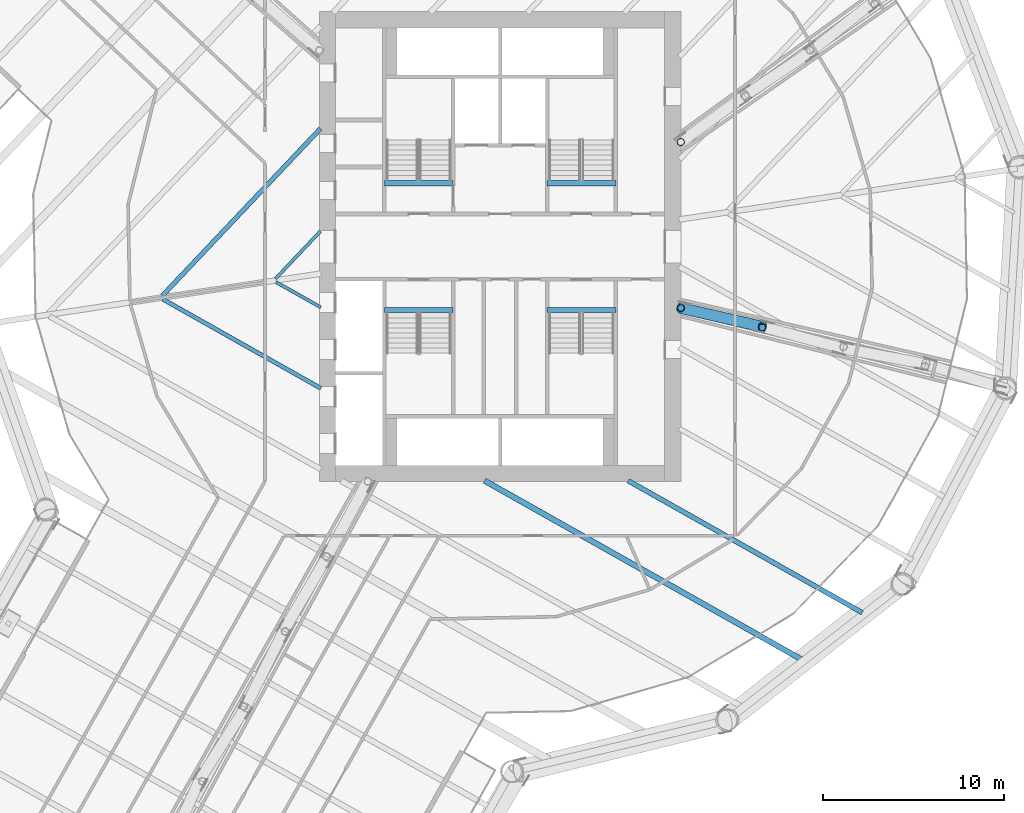
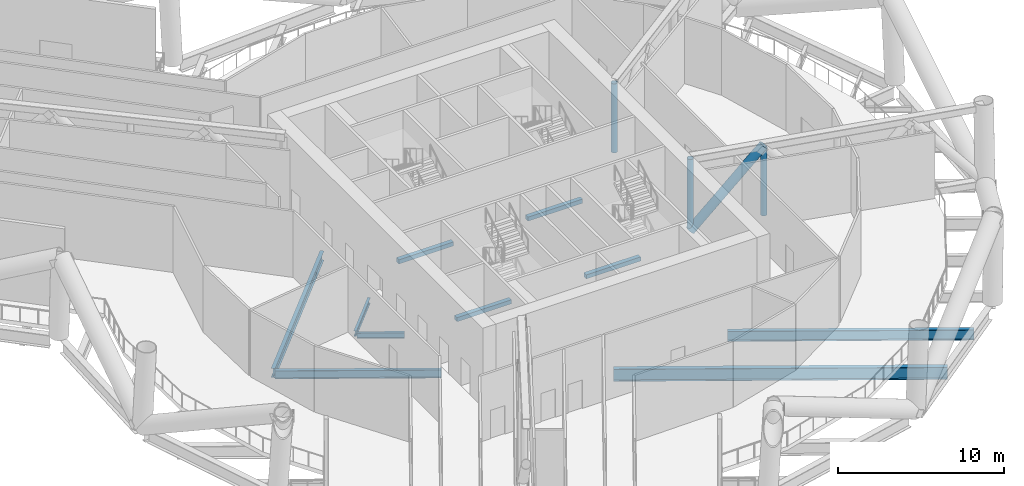
# One storey, part 5 of 39: 10 beams, 4 members.
"""IFC4 building model written with IfcOpenShell, lengths in metres."""

from ifc_helpers import new_model, si_unit, direction, frame, origin, origin_2d, place, context, subcontext, project, spatial, rectangle, hollow_circle, i_section, extrude, material, material_profile, profile_set, type_object, element, save


model = new_model("IFC4")

# Units and contexts
model_context = context("Model", 3, precision=1e-05, world=origin(), true_north=direction((0.0, 1.0)))
body_context = subcontext(model_context, "Body", "Model", "MODEL_VIEW")
ifc_project = project(units=[si_unit("LENGTHUNIT", "METRE"), si_unit("AREAUNIT", "SQUARE_METRE"), si_unit("VOLUMEUNIT", "CUBIC_METRE"), si_unit("PLANEANGLEUNIT", "RADIAN"), si_unit("MASSUNIT", "GRAM", prefix="KILO")], contexts=[model_context])

# Site, building, storey
site_placement = place(None, origin())
site = spatial("IfcSite", under=ifc_project, at=site_placement, CompositionType="ELEMENT")
building_placement = place(site_placement, origin())
building = spatial("IfcBuilding", under=site, at=building_placement, Name="Tarsis Ring Headquarters", CompositionType="ELEMENT")
storey_placement = place(building_placement, frame((0.0, 0.0, 86.800048828125)))
storey = spatial("IfcBuildingStorey", under=building, at=storey_placement, Name="L19", CompositionType="ELEMENT", Elevation=86.800048828125)

# Beams
ifc_material_1 = material(Name="Structural steel S355", Category="steel")
ifc_material_profile_1 = material_profile(ifc_material_1, i_section(OverallWidth=0.177734375, OverallDepth=0.406494140625, WebThickness=0.0078125, FlangeThickness=0.0126953125, at=origin_2d()), Name="W16x40")
ifc_profile_set_1 = profile_set([ifc_material_profile_1], Name="Structural steel S355")
beam_type_1 = type_object("IfcBeamType", Name="FB Floor beam W16x40", PredefinedType="JOIST", material=ifc_profile_set_1)
beam_1_placement = place(storey_placement, frame((-12.3955078125, -1.964599609375, -0.503173828125), z_axis=(0.871064924841, -0.491167890554, 0.0), x_axis=(0.491167890554, 0.871064924841, 0.0)))
element("IfcBeam", 1, at=beam_1_placement, inside=storey, type_object=beam_type_1, Name="Floor beam FB1", PredefinedType="JOIST", context=body_context, shape_type="SweptSolid", body=[
    extrude(i_section(OverallWidth=0.177734375, OverallDepth=0.406494140625, WebThickness=0.0078125, FlangeThickness=0.0126953125, at=origin_2d()), origin(), (0.0, 0.0, 1.0), 2.85009765625),
])
beam_2_placement = place(storey_placement, frame((-9.93115234375, 0.853515625, -0.503173828125), z_axis=(-0.687344865135, -0.726331216714, 0.0), x_axis=(0.726331216714, -0.687344865135, 0.0)))
element("IfcBeam", 2, at=beam_2_placement, inside=storey, type_object=beam_type_1, Name="Floor beam FB1", PredefinedType="JOIST", context=body_context, shape_type="SweptSolid", body=[
    extrude(i_section(OverallWidth=0.177734375, OverallDepth=0.406494140625, WebThickness=0.0078125, FlangeThickness=0.0126953125, at=origin_2d()), origin(), (0.0, 0.0, 1.0), 3.625732421875),
])
ifc_material_profile_2 = material_profile(ifc_material_1, i_section(OverallWidth=0.228271484375, OverallDepth=0.607177734375, WebThickness=0.01123046875, FlangeThickness=0.017333984375, at=origin_2d()), Name="W24x76")
ifc_profile_set_2 = profile_set([ifc_material_profile_2], Name="Structural steel S355")
beam_type_2 = type_object("IfcBeamType", Name="FB Floor beam W24x76", PredefinedType="JOIST", material=ifc_profile_set_2)
beam_3_placement = place(storey_placement, frame((-18.6591796875, -2.90966796875, -0.603515625), z_axis=(0.871040621549, -0.491210988895, 0.0), x_axis=(0.491210988895, 0.871040621549, 0.0)))
element("IfcBeam", 3, at=beam_3_placement, inside=storey, type_object=beam_type_2, Name="Floor beam FB4", PredefinedType="JOIST", context=body_context, shape_type="SweptSolid", body=[
    extrude(i_section(OverallWidth=0.228271484375, OverallDepth=0.607177734375, WebThickness=0.01123046875, FlangeThickness=0.017333984375, at=origin_2d()), origin(), (0.0, 0.0, 1.0), 10.041259765625),
])
ifc_material_profile_3 = material_profile(ifc_material_1, i_section(OverallWidth=0.2529296875, OverallDepth=0.67822265625, WebThickness=0.01171875, FlangeThickness=0.016357421875, at=origin_2d()), Name="W27x84")
ifc_profile_set_3 = profile_set([ifc_material_profile_3], Name="Structural steel S355")
beam_type_3 = type_object("IfcBeamType", Name="FB Floor beam W27x84", PredefinedType="JOIST", material=ifc_profile_set_3)
beam_4_placement = place(storey_placement, frame((-9.93115234375, 6.52734375, -0.63916015625), z_axis=(-0.68734691223, -0.726329279492, 0.0), x_axis=(0.726329279492, -0.68734691223, 0.0)))
element("IfcBeam", 4, at=beam_4_placement, inside=storey, type_object=beam_type_3, Name="Floor beam FB5", PredefinedType="JOIST", context=body_context, shape_type="SweptSolid", body=[
    extrude(i_section(OverallWidth=0.2529296875, OverallDepth=0.67822265625, WebThickness=0.01171875, FlangeThickness=0.016357421875, at=origin_2d()), origin(), (0.0, 0.0, 1.0), 12.738525390625),
])
ifc_material_profile_4 = material_profile(ifc_material_1, i_section(OverallWidth=0.2666015625, OverallDepth=0.7568359375, WebThickness=0.013916015625, FlangeThickness=0.019287109375, at=origin_2d()), Name="W30x108")
ifc_profile_set_4 = profile_set([ifc_material_profile_4], Name="Structural steel S355")
beam_type_4 = type_object("IfcBeamType", Name="FB Floor beam W30x108", PredefinedType="JOIST", material=ifc_profile_set_4)
beam_5_placement = place(storey_placement, frame((7.086181640625, -12.950927734375, -0.678466796875), z_axis=(0.871047308562, -0.491199130952, 0.0), x_axis=(0.491199130952, 0.871047308562, 0.0)))
element("IfcBeam", 5, at=beam_5_placement, inside=storey, type_object=beam_type_4, Name="Floor beam FB6", PredefinedType="JOIST", context=body_context, shape_type="SweptSolid", body=[
    extrude(i_section(OverallWidth=0.2666015625, OverallDepth=0.7568359375, WebThickness=0.013916015625, FlangeThickness=0.019287109375, at=origin_2d()), origin(), (0.0, 0.0, 1.0), 14.86328125),
])
ifc_material_profile_5 = material_profile(ifc_material_1, i_section(OverallWidth=0.3046875, OverallDepth=0.904296875, WebThickness=0.01513671875, FlangeThickness=0.02001953125, at=origin_2d()), Name="W36x135")
ifc_profile_set_5 = profile_set([ifc_material_profile_5], Name="Structural steel S355")
beam_type_5 = type_object("IfcBeamType", Name="FB Floor beam W36x135", PredefinedType="JOIST", material=ifc_profile_set_5)
beam_6_placement = place(storey_placement, frame((-0.853515625, -12.950927734375, -0.752197265625), z_axis=(0.871045912815, -0.491201606031, 0.0), x_axis=(0.491201606031, 0.871045912815, 0.0)))
element("IfcBeam", 6, at=beam_6_placement, inside=storey, type_object=beam_type_5, Name="Floor beam FB8", PredefinedType="JOIST", context=body_context, shape_type="SweptSolid", body=[
    extrude(i_section(OverallWidth=0.3046875, OverallDepth=0.904296875, WebThickness=0.01513671875, FlangeThickness=0.02001953125, at=origin_2d()), origin(), (0.0, 0.0, 1.0), 20.135009765625),
])

# Members
ifc_material_profile_6 = material_profile(ifc_material_1, hollow_circle(Radius=0.3046875, WallThickness=0.02490234375, at=origin_2d()), Name="CHS 610x25")
ifc_profile_set_6 = profile_set([ifc_material_profile_6], Name="Structural steel S355")
member_type_1 = type_object("IfcMemberType", Name="OD Outrigger diagonal CHS 610x25", PredefinedType="BRACE", material=ifc_profile_set_6)
member_1_placement = place(storey_placement, frame((10.0, -3.39990234375, 0.25390625), z_axis=(0.639119333285, -0.146443960394, 0.755036849621), x_axis=(0.223345890606, 0.974739253929, 0.0)))
element("IfcMember", 7, at=member_1_placement, inside=storey, type_object=member_type_1, Name="Outrigger diagonal OD1", PredefinedType="BRACE", context=body_context, shape_type="SweptSolid", body=[
    extrude(hollow_circle(Radius=0.3046875, WallThickness=0.02490234375, at=origin_2d()), origin(), (0.0, 0.0, 1.0), 7.06201171875),
])
ifc_material_profile_7 = material_profile(ifc_material_1, hollow_circle(Radius=0.203125, WallThickness=0.01611328125, at=origin_2d()), Name="CHS 406x16")
ifc_profile_set_7 = profile_set([ifc_material_profile_7], Name="Structural steel S355")
member_type_2 = type_object("IfcMemberType", Name="OV Outrigger post CHS 406x16", PredefinedType="STRUT", material=ifc_profile_set_7)
member_2_placement = place(storey_placement, frame((10.0, -3.39990234375, 0.508056640625), z_axis=(0.0, 0.0, 1.0), x_axis=(1.0, 0.0, 0.0)))
element("IfcMember", 8, at=member_2_placement, inside=storey, type_object=member_type_2, Name="Outrigger post OV1", PredefinedType="STRUT", context=body_context, shape_type="SweptSolid", body=[
    extrude(hollow_circle(Radius=0.203125, WallThickness=0.01611328125, at=origin_2d()), origin(), (0.0, 0.0, 1.0), 5.077880859375),
])
member_3_placement = place(storey_placement, frame((14.501708984375, -4.476318359375, 0.508056640625), z_axis=(0.0, 0.0, 1.0), x_axis=(1.0, 0.0, 0.0)))
element("IfcMember", 9, at=member_3_placement, inside=storey, type_object=member_type_2, Name="Outrigger post OV1", PredefinedType="STRUT", context=body_context, shape_type="SweptSolid", body=[
    extrude(hollow_circle(Radius=0.203125, WallThickness=0.01611328125, at=origin_2d()), origin(), (0.0, 0.0, 1.0), 4.823974609375),
])
member_4_placement = place(storey_placement, frame((10.0, 5.782958984375, 0.508056640625), z_axis=(0.0, 0.0, 1.0), x_axis=(1.0, 0.0, 0.0)))
element("IfcMember", 10, at=member_4_placement, inside=storey, type_object=member_type_2, Name="Outrigger post OV1", PredefinedType="STRUT", context=body_context, shape_type="SweptSolid", body=[
    extrude(hollow_circle(Radius=0.203125, WallThickness=0.01611328125, at=origin_2d()), origin(), (0.0, 0.0, 1.0), 5.077880859375),
])

# Beams
ifc_material_2 = material(Name="Concrete C40/50", Category="concrete")
ifc_material_profile_8 = material_profile(ifc_material_2, rectangle(XDim=0.300048828125, YDim=0.300048828125, at=origin_2d()), Name="Stair head beam 300x300 C40/50")
ifc_profile_set_8 = profile_set([ifc_material_profile_8], Name="Concrete C40/50")
beam_type_6 = type_object("IfcBeamType", Name="Stair head beam 300x300 C40/50", PredefinedType="BEAM", material=ifc_profile_set_8)
for number, where, z_axis, x_axis, name in (
    (11, (-6.39990234375, 3.510009765625, -0.449951171875), (1.0, 0.0, 0.0), (0.0, 1.0, 0.0), "Stair head beam L19 Firefighting stair"),
    (12, (2.60009765625, 3.510009765625, -0.449951171875), (1.0, 0.0, 0.0), (0.0, 1.0, 0.0), "Stair head beam L19 Exit stair B"),
    (13, (-6.39990234375, -3.510009765625, -0.449951171875), (1.0, 0.0, 0.0), (0.0, 1.0, 0.0), "Stair head beam L19 Exit stair C"),
    (14, (2.60009765625, -3.510009765625, -0.449951171875), (1.0, 0.0, 0.0), (0.0, 1.0, 0.0), "Stair head beam L19 Exit stair D"),
):
    element("IfcBeam", number, at=place(storey_placement, frame(where, z_axis=z_axis, x_axis=x_axis)), inside=storey, type_object=beam_type_6, Name=name, PredefinedType="BEAM", context=body_context, shape_type="SweptSolid", body=[
        extrude(rectangle(XDim=0.300048828125, YDim=0.300048828125, at=origin_2d()), origin(), (0.0, 0.0, 1.0), 3.7998046875),
    ])

save(model, "model.ifc")
